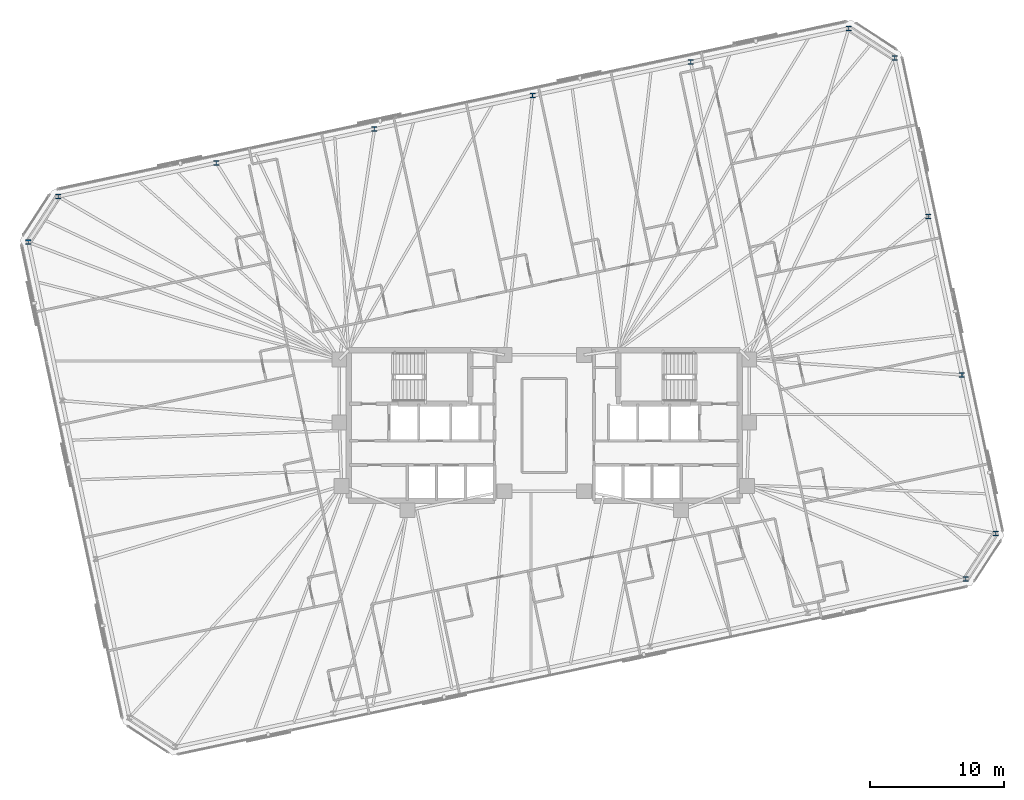
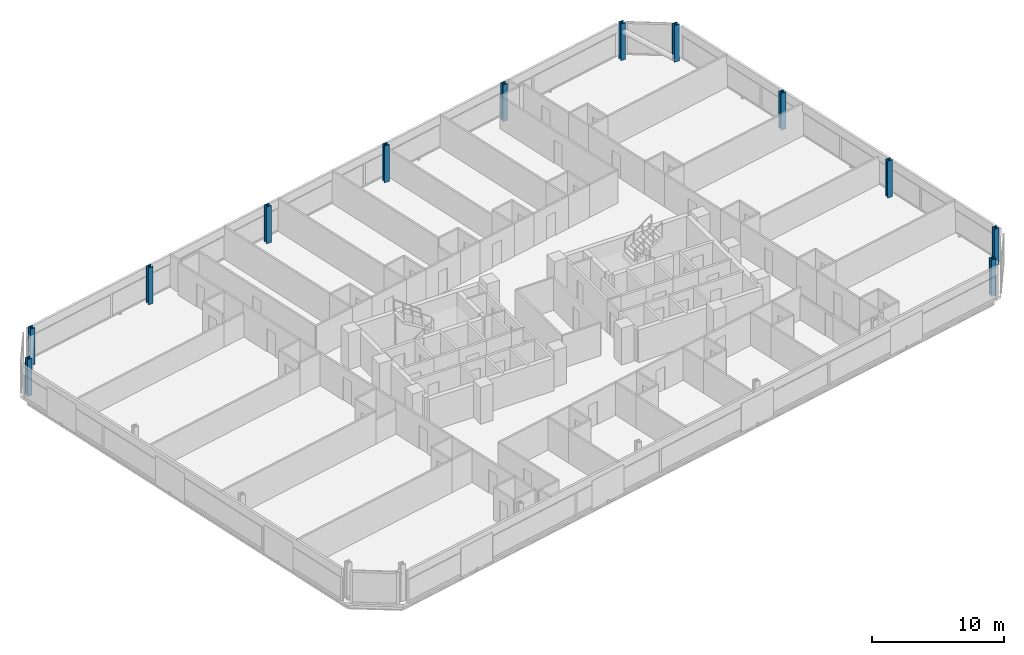
# One storey, part 5 of 20: 12 columns.
"""IFC4 building model written with IfcOpenShell, lengths in metres."""

from ifc_helpers import new_model, si_unit, direction, frame, origin, origin_2d, place, context, subcontext, project, spatial, i_section, extrude, material, material_profile, profile_set, type_object, element, save


model = new_model("IFC4")

# Units and contexts
model_context = context("Model", 3, precision=1e-05, world=origin(), true_north=direction((0.0, 1.0)))
body_context = subcontext(model_context, "Body", "Model", "MODEL_VIEW")
ifc_project = project(units=[si_unit("LENGTHUNIT", "METRE"), si_unit("AREAUNIT", "SQUARE_METRE"), si_unit("VOLUMEUNIT", "CUBIC_METRE"), si_unit("PLANEANGLEUNIT", "RADIAN"), si_unit("MASSUNIT", "GRAM", prefix="KILO")], contexts=[model_context])

# Site, building, storey
site_placement = place(None, origin())
site = spatial("IfcSite", under=ifc_project, at=site_placement, CompositionType="ELEMENT")
building_placement = place(site_placement, origin())
building = spatial("IfcBuilding", under=site, at=building_placement, Name="Menara Jurai Vektor", CompositionType="ELEMENT")
storey_placement = place(building_placement, frame((0.0, 0.0, 199.0)))
storey = spatial("IfcBuildingStorey", under=building, at=storey_placement, Name="L52", CompositionType="ELEMENT", Elevation=199.0)

# Columns
ifc_material = material(Name="Steel S460", Category="steel")
ifc_material_profile = material_profile(ifc_material, i_section(OverallWidth=0.408935546875, OverallDepth=0.3740234375, WebThickness=0.048095703125, FlangeThickness=0.076904296875, FilletRadius=0.014892578125, at=origin_2d()), Name="HD 400x634")
ifc_profile_set = profile_set([ifc_material_profile], Name="Steel S460")
column_type = type_object("IfcColumnType", Name="STR-EXO-BLK3", PredefinedType="COLUMN", material=ifc_profile_set)
for number, where, z_axis, x_axis, name in (
    (1, (31.376220703125, -11.438720703125, 0.0), (0.0, 0.0, 1.0), (1.0, 0.0, 0.0), "Exoskeleton Column BLK3-S6 L52"),
    (2, (33.588623046875, -8.031982421875, 0.0), (0.0, 0.0, 1.0), (1.0, 0.0, 0.0), "Exoskeleton Column BLK3-E1 L52"),
    (3, (31.082763671875, 3.75634765625, 0.0), (0.0, 0.0, 1.0), (1.0, 0.0, 0.0), "Exoskeleton Column BLK3-E2 L52"),
    (4, (28.5771484375, 15.544921875, 0.0), (0.0, 0.0, 1.0), (1.0, 0.0, 0.0), "Exoskeleton Column BLK3-E3 L52"),
    (5, (26.0712890625, 27.33349609375, 0.0), (0.0, 0.0, 1.0), (1.0, 0.0, 0.0), "Exoskeleton Column BLK3-E4 L52"),
    (6, (22.664794921875, 29.545654296875, 0.0), (0.0, 0.0, 1.0), (1.0, 0.0, 0.0), "Exoskeleton Column BLK3-N1 L52"),
    (7, (10.896484375, 27.044189453125, 0.0), (0.0, 0.0, 1.0), (1.0, 0.0, 0.0), "Exoskeleton Column BLK3-N2 L52"),
    (8, (-0.87158203125, 24.54296875, 0.0), (0.0, 0.0, 1.0), (1.0, 0.0, 0.0), "Exoskeleton Column BLK3-N3 L52"),
    (9, (-12.639892578125, 22.04150390625, 0.0), (0.0, 0.0, 1.0), (1.0, 0.0, 0.0), "Exoskeleton Column BLK3-N4 L52"),
    (10, (-24.407958984375, 19.5400390625, 0.0), (0.0, 0.0, 1.0), (1.0, 0.0, 0.0), "Exoskeleton Column BLK3-N5 L52"),
    (11, (-36.17626953125, 17.03857421875, 0.0), (0.0, 0.0, 1.0), (1.0, 0.0, 0.0), "Exoskeleton Column BLK3-N6 L52"),
    (12, (-38.388671875, 13.632080078125, 0.0), (0.0, 0.0, 1.0), (1.0, 0.0, 0.0), "Exoskeleton Column BLK3-W1 L52"),
):
    element("IfcColumn", number, at=place(storey_placement, frame(where, z_axis=z_axis, x_axis=x_axis)), inside=storey, type_object=column_type, Name=name, PredefinedType="COLUMN", context=body_context, shape_type="SweptSolid", body=[
        extrude(i_section(OverallWidth=0.408935546875, OverallDepth=0.3740234375, WebThickness=0.048095703125, FlangeThickness=0.076904296875, FilletRadius=0.014892578125, at=origin_2d()), origin(), (0.0, 0.0, 1.0), 3.39990234375),
    ])

save(model, "model.ifc")
